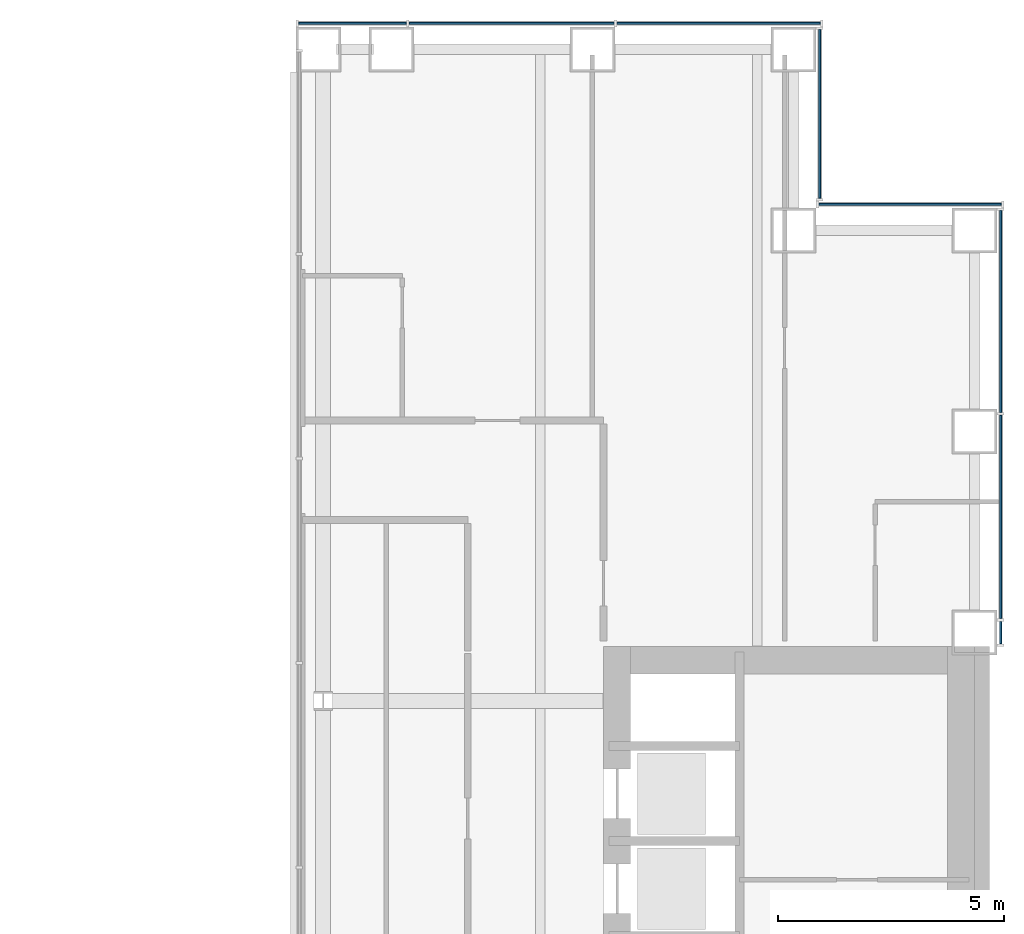
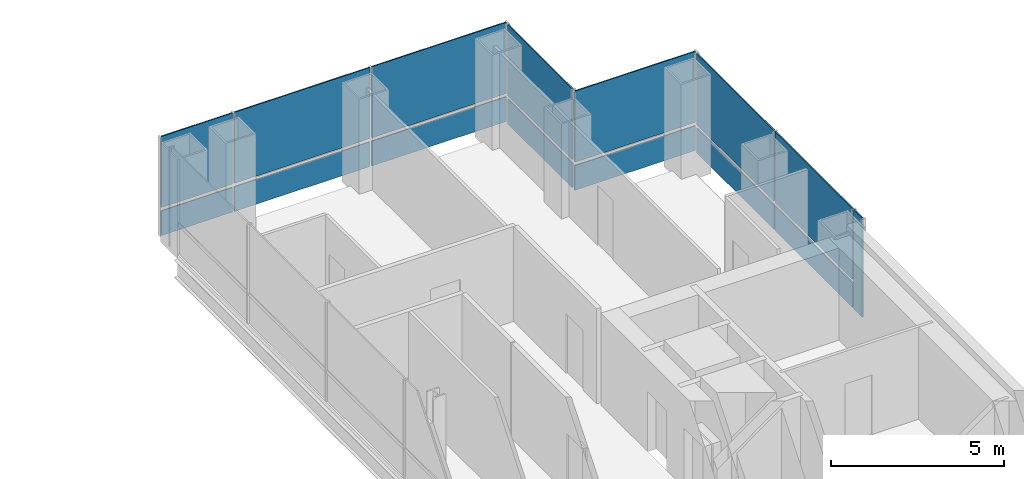
# One storey, part 13 of 19: 15 plates, 4 elements without a shape of their own.
"""IFC4 building model written with IfcOpenShell, lengths in metres."""

import ifcopenshell
import ifcopenshell.guid

model = None  # the IFC model being written
_history = None  # IfcOwnerHistory: only IFC2X3 demands one
_inside = {}  # id of a spatial element -> (the spatial element, [elements in it])
_under = {}  # id of a project, library or spatial element -> (it, [spatial elements below it])
_declared = {}  # id of a project -> (the project, [libraries it declares])
_typed = {}  # id of a type object -> (the type object, [elements of that type])
_made_of = {}  # id of a material, layer set ... -> (it, [elements and type objects made of it])


def new_model(schema):
    """Start an empty IFC model of exactly this schema.

    Asked for "IFC4X3", IfcOpenShell would pick the latest addendum, in which some entities
    have other attributes; the version numbers below select the first issue.
    IFC2X3 requires an IfcOwnerHistory on every rooted entity: one is made here for all.
    """
    global model, _history
    if schema == "IFC4X3":
        model = ifcopenshell.file(schema_version=(4, 3, 0, 0))
    else:
        model = ifcopenshell.file(schema=schema)
    _inside.clear()
    _under.clear()
    _declared.clear()
    _typed.clear()
    _made_of.clear()
    _history = None
    if model.schema == "IFC2X3":
        org = make("IfcOrganization", Name="unknown")
        user = make(
            "IfcPersonAndOrganization",
            ThePerson=make("IfcPerson", FamilyName="unknown"),
            TheOrganization=org,
        )
        app = make(
            "IfcApplication",
            ApplicationDeveloper=org,
            Version="unknown",
            ApplicationFullName="unknown",
            ApplicationIdentifier="unknown",
        )
        _history = make(
            "IfcOwnerHistory",
            OwningUser=user,
            OwningApplication=app,
            ChangeAction="ADDED",
            CreationDate=0,
        )
    return model


def make(cls, **values):
    """One entity of the class cls with the attributes given. An attribute that is None is left unset."""
    return model.create_entity(
        cls, **{name: value for name, value in values.items() if value is not None}
    )


def rooted(cls, **values):
    """An entity with a GlobalId (a new one), such as an element, a storey or a relation."""
    return make(cls, GlobalId=ifcopenshell.guid.new(), OwnerHistory=_history, **values)


def si_unit(unit_type, name, prefix=None):
    """IfcSIUnit, for example si_unit("LENGTHUNIT", "METRE", prefix="MILLI")."""
    return make("IfcSIUnit", UnitType=unit_type, Prefix=prefix, Name=name)


def assignment(units):
    """IfcUnitAssignment: the units of a project."""
    return None if units is None else make("IfcUnitAssignment", Units=units)


def point(xyz):
    """IfcCartesianPoint."""
    return None if xyz is None else make("IfcCartesianPoint", Coordinates=xyz)


def direction(xyz):
    """IfcDirection."""
    return None if xyz is None else make("IfcDirection", DirectionRatios=xyz)


def frame(location, z_axis=None, x_axis=None):
    """IfcAxis2Placement3D, a coordinate frame: its origin and axes. An axis left out is left unset."""
    return make(
        "IfcAxis2Placement3D",
        Location=point(location),
        Axis=direction(z_axis),
        RefDirection=direction(x_axis),
    )


def frame_2d(location, x_axis=None):
    """IfcAxis2Placement2D, a coordinate frame in the plane: its origin and x axis."""
    return make(
        "IfcAxis2Placement2D", Location=point(location), RefDirection=direction(x_axis)
    )


def origin():
    """The frame at (0, 0, 0) with its axes left unset."""
    return frame((0.0, 0.0, 0.0))


def origin_2d():
    """The frame at (0, 0) in the plane with its x axis left unset."""
    return frame_2d((0.0, 0.0))


def place(relative_to, where):
    """IfcLocalPlacement: puts the frame where relative to a parent placement (None: the world)."""
    return make(
        "IfcLocalPlacement", PlacementRelTo=relative_to, RelativePlacement=where
    )


def context(
    kind, dimensions, precision=None, world=None, true_north=None, identifier=None
):
    """IfcGeometricRepresentationContext, for example the 3D "Model" context."""
    return make(
        "IfcGeometricRepresentationContext",
        ContextIdentifier=identifier,
        ContextType=kind,
        CoordinateSpaceDimension=dimensions,
        Precision=precision,
        WorldCoordinateSystem=world,
        TrueNorth=true_north,
    )


def subcontext(parent, identifier, kind, view, scale=None):
    """IfcGeometricRepresentationSubContext, for example "Body" below "Model"."""
    return make(
        "IfcGeometricRepresentationSubContext",
        ContextIdentifier=identifier,
        ContextType=kind,
        ParentContext=parent,
        TargetScale=scale,
        TargetView=view,
    )


def project(units=None, contexts=None):
    """IfcProject with its units and contexts."""
    return rooted(
        "IfcProject",
        Name="project",
        RepresentationContexts=contexts,
        UnitsInContext=assignment(units),
    )


def spatial(cls, under=None, at=None, **own):
    """A site, building, storey or space (cls), placed at a placement, below another one or the project."""
    s = rooted(cls, ObjectPlacement=at, **own)
    if under is not None:
        _under.setdefault(under.id(), (under, []))[1].append(s)
    return s


def profile(cls, at=None, kind="AREA", **sizes):
    """A parametric profile (cls). Its sizes go by their IFC names, for example OverallWidth=200.0."""
    return make(cls, ProfileType=kind, Position=at, **sizes)


def rectangle(**sizes):
    """IfcRectangleProfileDef."""
    return profile("IfcRectangleProfileDef", **sizes)


def extrude(swept, where, along, depth):
    """IfcExtrudedAreaSolid: the profile swept, set in the frame where, extruded along a direction by depth."""
    return make(
        "IfcExtrudedAreaSolid",
        SweptArea=swept,
        Position=where,
        ExtrudedDirection=direction(along),
        Depth=depth,
    )


def shape(context_of_items, identifier, shape_type, items):
    """IfcShapeRepresentation: the items that make up one representation, for example the "Body"."""
    return make(
        "IfcShapeRepresentation",
        ContextOfItems=context_of_items,
        RepresentationIdentifier=identifier,
        RepresentationType=shape_type,
        Items=items,
    )


def material(Name=None, Category=None):
    """IfcMaterial."""
    return make("IfcMaterial", Name=Name, Category=Category)


def layer(
    of_material, thickness, ventilated=None, Name=None, Category=None, Priority=None
):
    """IfcMaterialLayer: one layer of a wall or slab, of a material (None: an air gap)."""
    return make(
        "IfcMaterialLayer",
        Material=of_material,
        LayerThickness=thickness,
        IsVentilated=ventilated,
        Name=Name,
        Category=Category,
        Priority=Priority,
    )


def layer_set(layers, Name=None):
    """IfcMaterialLayerSet."""
    return make("IfcMaterialLayerSet", MaterialLayers=layers, LayerSetName=Name)


def made_of(thing, what):
    """Note that an element or type object is made of a material, layer set ...; save() writes the relation."""
    if what is not None:
        _made_of.setdefault(what.id(), (what, []))[1].append(thing)
    return thing


def type_object(cls, material=None, **own):
    """A type object (cls), such as IfcWallType, which elements share."""
    return made_of(rooted(cls, **own), material)


def element(
    cls,
    number,
    at=None,
    inside=None,
    cuts=None,
    type_object=None,
    material=None,
    context=None,
    identifier="Body",
    shape_type=None,
    held_by="IfcProductDefinitionShape",
    body=None,
    shapes=None,
    **own,
):
    """One element of the class cls, such as IfcWall. Its Tag is "e" and its number.

    at: its placement. inside: the storey or other place that contains it. cuts: it is an
    opening in that element (IfcRelVoidsElement). A single representation is given by context,
    identifier, shape_type and body (its items); several are given by shapes. held_by: the class
    of the entity that holds the representations. save() writes the other relations.
    """
    e = rooted(cls, Tag="e%d" % number, ObjectPlacement=at, **own)
    if body is not None:
        shapes = [shape(context, identifier, shape_type, body)]
    if shapes is not None:
        e.Representation = make(held_by, Representations=shapes)
    if inside is not None:
        _inside.setdefault(inside.id(), (inside, []))[1].append(e)
    if cuts is not None:
        rooted(
            "IfcRelVoidsElement", RelatingBuildingElement=cuts, RelatedOpeningElement=e
        )
    if type_object is not None:
        _typed.setdefault(type_object.id(), (type_object, []))[1].append(e)
    return made_of(e, material)


def aggregate(whole, parts):
    """IfcRelAggregates: a whole, such as a stair, and the parts it consists of."""
    return rooted("IfcRelAggregates", RelatingObject=whole, RelatedObjects=parts)


def save(model, path):
    """Write the relations noted so far, then the file.

    IfcRelAggregates (storeys below a building ...), IfcRelContainedInSpatialStructure (elements
    in a storey), IfcRelDefinesByType, IfcRelAssociatesMaterial and IfcRelDeclares: one each for
    every whole, place, type object, material and project.
    """
    for whole, parts in _under.values():
        aggregate(whole, parts)
    for where, things in _inside.values():
        rooted(
            "IfcRelContainedInSpatialStructure",
            RelatedElements=things,
            RelatingStructure=where,
        )
    for kind, things in _typed.values():
        rooted("IfcRelDefinesByType", RelatedObjects=things, RelatingType=kind)
    for what, things in _made_of.values():
        rooted("IfcRelAssociatesMaterial", RelatedObjects=things, RelatingMaterial=what)
    for by, libraries in _declared.values():
        rooted("IfcRelDeclares", RelatingContext=by, RelatedDefinitions=libraries)
    model.write(path)


model = new_model("IFC4")

# Units and contexts
model_context = context("Model", 3, precision=1e-05, world=origin(), true_north=direction((0.0, 1.0)))
body_context = subcontext(model_context, "Body", "Model", "MODEL_VIEW")
ifc_project = project(units=[si_unit("LENGTHUNIT", "METRE"), si_unit("AREAUNIT", "SQUARE_METRE"), si_unit("VOLUMEUNIT", "CUBIC_METRE"), si_unit("PLANEANGLEUNIT", "RADIAN"), si_unit("MASSUNIT", "GRAM", prefix="KILO")], contexts=[model_context])

# Site, building, storey
site_placement = place(None, origin())
site = spatial("IfcSite", under=ifc_project, at=site_placement, CompositionType="ELEMENT")
building_placement = place(site_placement, origin())
building = spatial("IfcBuilding", under=site, at=building_placement, Name="Cobrizo Arcos Hotel Tower", CompositionType="ELEMENT")
storey_placement = place(building_placement, frame((0.0, 0.0, 63.5)))
storey = spatial("IfcBuildingStorey", under=building, at=storey_placement, Name="L14", CompositionType="ELEMENT", Elevation=63.5)

# Curtain wall, plates
ifc_material_1 = material(Name="Aluminium 6063-T6 anodised bronze", Category="aluminium")
curtain_wall_type = type_object("IfcCurtainWallType", Name="CW-A guest facade", PredefinedType="NOTDEFINED", material=ifc_material_1)
curtain_wall_1_placement = place(storey_placement, origin())
curtain_wall_1 = element("IfcCurtainWall", 1, at=curtain_wall_1_placement, inside=storey, type_object=curtain_wall_type, Name="CW-A L14 E face", PredefinedType="NOTDEFINED")
ifc_material_2 = material(Name="Glass clear laminated low-e", Category="glass")
ifc_layer_1 = layer(ifc_material_2, 0.0400390625)
ifc_layer_set_1 = layer_set([ifc_layer_1], Name="CW-A glass panel")
plate_type_1 = type_object("IfcPlateType", Name="CW-A glass panel", PredefinedType="CURTAIN_PANEL", material=ifc_layer_set_1)
plate_1_placement = place(storey_placement, frame((24.574951171875, 13.666748046875, 0.990234375), z_axis=(0.0, 0.0, 1.0), x_axis=(0.0, 1.0, 0.0)))
plate_1 = element("IfcPlate", 2, at=plate_1_placement, type_object=plate_type_1, Name="CW-A glass panel 633", PredefinedType="CURTAIN_PANEL", context=body_context, shape_type="SweptSolid", body=[
    extrude(rectangle(XDim=4.49560546875, YDim=0.0400390625, at=origin_2d()), origin(), (0.0, 0.0, 1.0), 2.510009765625),
])
plate_2_placement = place(storey_placement, frame((24.574951171875, 18.207275390625, 0.990234375), z_axis=(0.0, 0.0, 1.0), x_axis=(0.0, 1.0, 0.0)))
plate_2 = element("IfcPlate", 3, at=plate_2_placement, type_object=plate_type_1, Name="CW-A glass panel 634", PredefinedType="CURTAIN_PANEL", context=body_context, shape_type="SweptSolid", body=[
    extrude(rectangle(XDim=4.465576171875, YDim=0.0400390625, at=origin_2d()), origin(), (0.0, 0.0, 1.0), 2.510009765625),
])

# Curtain wall, plate
curtain_wall_2_placement = place(storey_placement, origin())
curtain_wall_2 = element("IfcCurtainWall", 4, at=curtain_wall_2_placement, inside=storey, type_object=curtain_wall_type, Name="CW-A L14 N face", PredefinedType="NOTDEFINED")
plate_3_placement = place(storey_placement, frame((22.574951171875, 20.574951171875, 0.990234375), z_axis=(0.0, 0.0, 1.0), x_axis=(-1.0, 0.0, 0.0)))
plate_3 = element("IfcPlate", 5, at=plate_3_placement, type_object=plate_type_1, Name="CW-A glass panel 635", PredefinedType="CURTAIN_PANEL", context=body_context, shape_type="SweptSolid", body=[
    extrude(rectangle(XDim=4.030029296875, YDim=0.0400390625, at=origin_2d()), origin(), (0.0, 0.0, 1.0), 2.510009765625),
])

curtain_wall_3_placement = place(storey_placement, origin())
curtain_wall_3 = element("IfcCurtainWall", 6, at=curtain_wall_3_placement, inside=storey, type_object=curtain_wall_type, Name="CW-A L14 E face", PredefinedType="NOTDEFINED")
plate_4_placement = place(storey_placement, frame((20.574951171875, 22.574951171875, 0.990234375), z_axis=(0.0, 0.0, 1.0), x_axis=(0.0, 1.0, 0.0)))
plate_4 = element("IfcPlate", 7, at=plate_4_placement, type_object=plate_type_1, Name="CW-A glass panel 636", PredefinedType="CURTAIN_PANEL", context=body_context, shape_type="SweptSolid", body=[
    extrude(rectangle(XDim=3.72998046875, YDim=0.0400390625, at=origin_2d()), origin(), (0.0, 0.0, 1.0), 2.510009765625),
])

# Curtain wall, plates
curtain_wall_4_placement = place(storey_placement, origin())
curtain_wall_4 = element("IfcCurtainWall", 8, at=curtain_wall_4_placement, inside=storey, type_object=curtain_wall_type, Name="CW-A L14 N face", PredefinedType="NOTDEFINED")
plate_5_placement = place(storey_placement, frame((18.340576171875, 24.574951171875, 0.990234375), z_axis=(0.0, 0.0, 1.0), x_axis=(-1.0, 0.0, 0.0)))
plate_5 = element("IfcPlate", 9, at=plate_5_placement, type_object=plate_type_1, Name="CW-A glass panel 637", PredefinedType="CURTAIN_PANEL", context=body_context, shape_type="SweptSolid", body=[
    extrude(rectangle(XDim=4.498779296875, YDim=0.0400390625, at=origin_2d()), origin(), (0.0, 0.0, 1.0), 2.510009765625),
])
plate_6_placement = place(storey_placement, frame((13.7666015625, 24.574951171875, 0.990234375), z_axis=(0.0, 0.0, 1.0), x_axis=(-1.0, 0.0, 0.0)))
plate_6 = element("IfcPlate", 10, at=plate_6_placement, type_object=plate_type_1, Name="CW-A glass panel 638", PredefinedType="CURTAIN_PANEL", context=body_context, shape_type="SweptSolid", body=[
    extrude(rectangle(XDim=4.52880859375, YDim=0.0400390625, at=origin_2d()), origin(), (0.0, 0.0, 1.0), 2.510009765625),
])
plate_7_placement = place(storey_placement, frame((10.251220703125, 24.574951171875, 0.990234375), z_axis=(0.0, 0.0, 1.0), x_axis=(-1.0, 0.0, 0.0)))
plate_7 = element("IfcPlate", 11, at=plate_7_placement, type_object=plate_type_1, Name="CW-A glass panel 639", PredefinedType="CURTAIN_PANEL", context=body_context, shape_type="SweptSolid", body=[
    extrude(rectangle(XDim=2.38232421875, YDim=0.0400390625, at=origin_2d()), origin(), (0.0, 0.0, 1.0), 2.510009765625),
])

# Plate
ifc_material_3 = material(Name="Aluminium composite panel pale metal", Category="aluminium")
ifc_layer_2 = layer(ifc_material_3, 0.0400390625)
ifc_layer_set_2 = layer_set([ifc_layer_2], Name="CW-A spandrel panel")
plate_type_2 = type_object("IfcPlateType", Name="CW-A spandrel panel", PredefinedType="CURTAIN_PANEL", material=ifc_layer_set_2)
plate_8_placement = place(storey_placement, frame((24.574951171875, 11.109375, 0.0), z_axis=(0.0, 0.0, 1.0), x_axis=(0.0, 1.0, 0.0)))
plate_8 = element("IfcPlate", 12, at=plate_8_placement, type_object=plate_type_2, Name="CW-A spandrel panel 632", PredefinedType="CURTAIN_PANEL", context=body_context, shape_type="SweptSolid", body=[
    extrude(rectangle(XDim=0.498779296875, YDim=0.0400390625, at=origin_2d()), origin(), (0.0, 0.0, 1.0), 3.5),
])

plate_9_placement = place(storey_placement, frame((24.574951171875, 13.666748046875, 0.0), z_axis=(0.0, 0.0, 1.0), x_axis=(0.0, 1.0, 0.0)))
plate_9 = element("IfcPlate", 13, at=plate_9_placement, type_object=plate_type_2, Name="CW-A spandrel panel 633", PredefinedType="CURTAIN_PANEL", context=body_context, shape_type="SweptSolid", body=[
    extrude(rectangle(XDim=4.49560546875, YDim=0.0400390625, at=origin_2d()), origin(), (0.0, 0.0, 1.0), 0.8701171875),
])

plate_10_placement = place(storey_placement, frame((24.574951171875, 18.207275390625, 0.0), z_axis=(0.0, 0.0, 1.0), x_axis=(0.0, 1.0, 0.0)))
plate_10 = element("IfcPlate", 14, at=plate_10_placement, type_object=plate_type_2, Name="CW-A spandrel panel 634", PredefinedType="CURTAIN_PANEL", context=body_context, shape_type="SweptSolid", body=[
    extrude(rectangle(XDim=4.465576171875, YDim=0.0400390625, at=origin_2d()), origin(), (0.0, 0.0, 1.0), 0.8701171875),
])

aggregate(curtain_wall_1, [plate_8, plate_9, plate_1, plate_10, plate_2])

plate_11_placement = place(storey_placement, frame((22.574951171875, 20.574951171875, 0.0), z_axis=(0.0, 0.0, 1.0), x_axis=(-1.0, 0.0, 0.0)))
plate_11 = element("IfcPlate", 15, at=plate_11_placement, type_object=plate_type_2, Name="CW-A spandrel panel 635", PredefinedType="CURTAIN_PANEL", context=body_context, shape_type="SweptSolid", body=[
    extrude(rectangle(XDim=4.030029296875, YDim=0.0400390625, at=origin_2d()), origin(), (0.0, 0.0, 1.0), 0.8701171875),
])

aggregate(curtain_wall_2, [plate_11, plate_3])

plate_12_placement = place(storey_placement, frame((20.574951171875, 22.574951171875, 0.0), z_axis=(0.0, 0.0, 1.0), x_axis=(0.0, 1.0, 0.0)))
plate_12 = element("IfcPlate", 16, at=plate_12_placement, type_object=plate_type_2, Name="CW-A spandrel panel 636", PredefinedType="CURTAIN_PANEL", context=body_context, shape_type="SweptSolid", body=[
    extrude(rectangle(XDim=3.72998046875, YDim=0.0400390625, at=origin_2d()), origin(), (0.0, 0.0, 1.0), 0.8701171875),
])

aggregate(curtain_wall_3, [plate_12, plate_4])

plate_13_placement = place(storey_placement, frame((18.340576171875, 24.574951171875, 0.0), z_axis=(0.0, 0.0, 1.0), x_axis=(-1.0, 0.0, 0.0)))
plate_13 = element("IfcPlate", 17, at=plate_13_placement, type_object=plate_type_2, Name="CW-A spandrel panel 637", PredefinedType="CURTAIN_PANEL", context=body_context, shape_type="SweptSolid", body=[
    extrude(rectangle(XDim=4.498779296875, YDim=0.0400390625, at=origin_2d()), origin(), (0.0, 0.0, 1.0), 0.8701171875),
])

plate_14_placement = place(storey_placement, frame((13.7666015625, 24.574951171875, 0.0), z_axis=(0.0, 0.0, 1.0), x_axis=(-1.0, 0.0, 0.0)))
plate_14 = element("IfcPlate", 18, at=plate_14_placement, type_object=plate_type_2, Name="CW-A spandrel panel 638", PredefinedType="CURTAIN_PANEL", context=body_context, shape_type="SweptSolid", body=[
    extrude(rectangle(XDim=4.52880859375, YDim=0.0400390625, at=origin_2d()), origin(), (0.0, 0.0, 1.0), 0.8701171875),
])

plate_15_placement = place(storey_placement, frame((10.251220703125, 24.574951171875, 0.0), z_axis=(0.0, 0.0, 1.0), x_axis=(-1.0, 0.0, 0.0)))
plate_15 = element("IfcPlate", 19, at=plate_15_placement, type_object=plate_type_2, Name="CW-A spandrel panel 639", PredefinedType="CURTAIN_PANEL", context=body_context, shape_type="SweptSolid", body=[
    extrude(rectangle(XDim=2.38232421875, YDim=0.0400390625, at=origin_2d()), origin(), (0.0, 0.0, 1.0), 0.8701171875),
])

aggregate(curtain_wall_4, [plate_13, plate_5, plate_14, plate_6, plate_15, plate_7])

save(model, "model.ifc")
